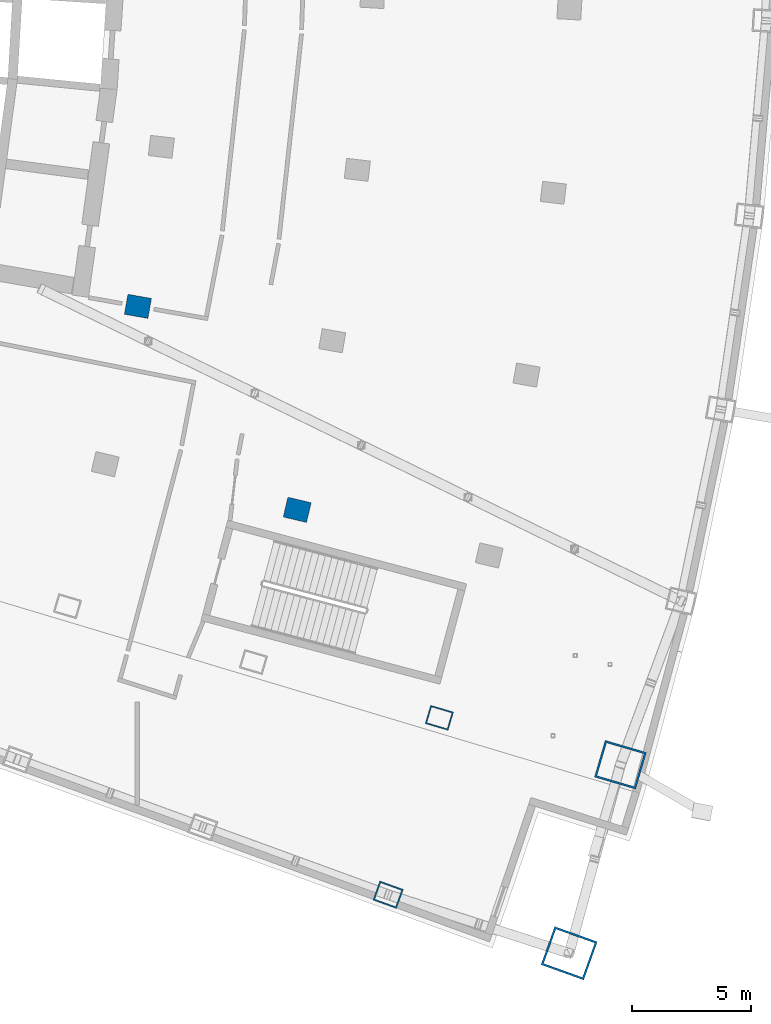
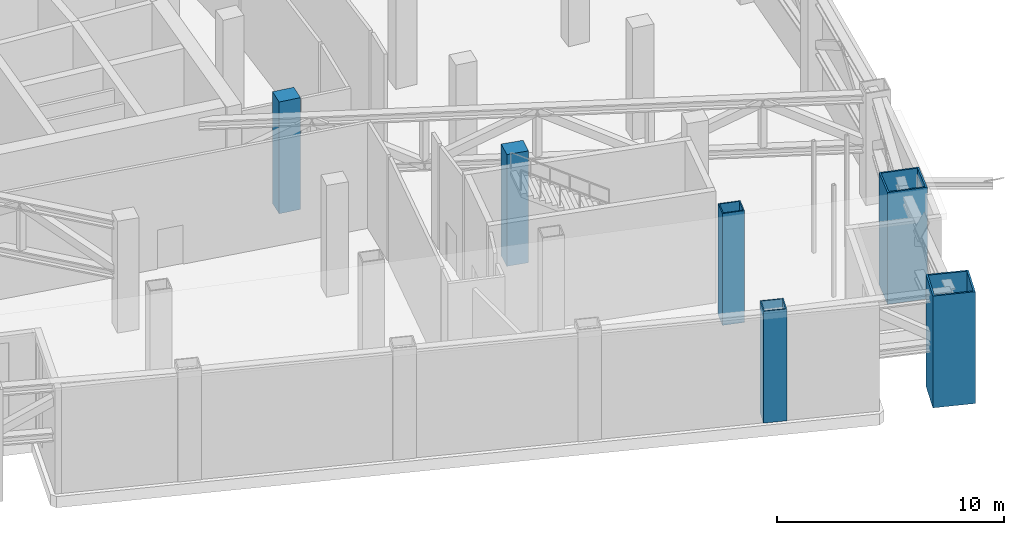
# One storey, part 3 of 26: 6 columns.
"""IFC4 building model written with IfcOpenShell, lengths in metres."""

from ifc_helpers import new_model, si_unit, direction, frame, origin, origin_2d, place, context, subcontext, project, spatial, rectangle, hollow_rectangle, extrude, material, material_profile, profile_set, type_object, element, save


model = new_model("IFC4")

# Units and contexts
model_context = context("Model", 3, precision=1e-05, world=origin(), true_north=direction((0.0, 1.0)))
body_context = subcontext(model_context, "Body", "Model", "MODEL_VIEW")
ifc_project = project(units=[si_unit("LENGTHUNIT", "METRE"), si_unit("AREAUNIT", "SQUARE_METRE"), si_unit("VOLUMEUNIT", "CUBIC_METRE"), si_unit("PLANEANGLEUNIT", "RADIAN"), si_unit("MASSUNIT", "GRAM", prefix="KILO")], contexts=[model_context])

# Site, building, storey
site_placement = place(None, origin())
site = spatial("IfcSite", under=ifc_project, at=site_placement, CompositionType="ELEMENT")
building_placement = place(site_placement, origin())
building = spatial("IfcBuilding", under=site, at=building_placement, Name="Alderwake Tower", CompositionType="ELEMENT")
storey_placement = place(building_placement, frame((0.0, 0.0, 132.800048828125)))
storey = spatial("IfcBuildingStorey", under=building, at=storey_placement, Name="L32", CompositionType="ELEMENT", Elevation=132.800048828125)

# Columns
ifc_material_1 = material(Name="Steel ASTM A572 Grade 50 concrete filled C70/85", Category="concrete")
ifc_material_profile_1 = material_profile(ifc_material_1, hollow_rectangle(XDim=0.85009765625, YDim=1.050048828125, WallThickness=0.06005859375, at=origin_2d()), Name="BOX 1050X850X60")
ifc_profile_set_1 = profile_set([ifc_material_profile_1], Name="Steel ASTM A572 Grade 50 concrete filled C70/85")
column_type_1 = type_object("IfcColumnType", Name="End column Z2", PredefinedType="COLUMN", material=ifc_profile_set_1)
column_1_placement = place(storey_placement, frame((44.514892578125, 16.187255859375, 0.0), z_axis=(0.0, 0.0, 1.0), x_axis=(0.338634462954, 0.940918009446, 0.0)))
element("IfcColumn", 1, at=column_1_placement, inside=storey, type_object=column_type_1, Name="Column R01-C4", PredefinedType="COLUMN", context=body_context, shape_type="SweptSolid", body=[
    extrude(hollow_rectangle(XDim=0.85009765625, YDim=1.050048828125, WallThickness=0.06005859375, at=origin_2d()), origin(), (0.0, 0.0, 1.0), 6.0),
])
ifc_material_2 = material(Name="Steel ASTM A572 Grade 50 concrete filled C70/85", Category="concrete")
ifc_material_profile_2 = material_profile(ifc_material_2, hollow_rectangle(XDim=0.800048828125, YDim=1.0, WallThickness=0.054931640625, at=origin_2d()), Name="BOX 1000X800X55")
ifc_profile_set_2 = profile_set([ifc_material_profile_2], Name="Steel ASTM A572 Grade 50 concrete filled C70/85")
column_type_2 = type_object("IfcColumnType", Name="End column Z3", PredefinedType="COLUMN", material=ifc_profile_set_2)
column_2_placement = place(storey_placement, frame((46.66015625, 23.599365234375, 0.0), z_axis=(0.0, 0.0, 1.0), x_axis=(0.283195247437, 0.959062277346, 0.0)))
element("IfcColumn", 2, at=column_2_placement, inside=storey, type_object=column_type_2, Name="Column R02-C4", PredefinedType="COLUMN", context=body_context, shape_type="SweptSolid", body=[
    extrude(hollow_rectangle(XDim=0.800048828125, YDim=1.0, WallThickness=0.054931640625, at=origin_2d()), origin(), (0.0, 0.0, 1.0), 6.0),
])
ifc_material_3 = material(Name="Concrete C70/85", Category="concrete")
ifc_material_profile_3 = material_profile(ifc_material_3, rectangle(XDim=0.85009765625, YDim=1.0, at=origin_2d()), Name="RC 1000X850")
ifc_profile_set_3 = profile_set([ifc_material_profile_3], Name="Concrete C70/85")
column_type_3 = type_object("IfcColumnType", Name="Interior column Z2", PredefinedType="COLUMN", material=ifc_profile_set_3)
for number, where, z_axis, x_axis, name in (
    (3, (40.70458984375, 32.31298828125, 0.0), (0.0, 0.0, 1.0), (0.231221547198, 0.972901123502, 0.0), "Column R03-C3"),
    (4, (34.03125, 40.83837890625, 0.0), (0.0, 0.0, 1.0), (0.174108800747, 0.984726421654, 0.0), "Column R04-C2"),
):
    element("IfcColumn", number, at=place(storey_placement, frame(where, z_axis=z_axis, x_axis=x_axis)), inside=storey, type_object=column_type_3, Name=name, PredefinedType="COLUMN", context=body_context, shape_type="SweptSolid", body=[
        extrude(rectangle(XDim=0.85009765625, YDim=1.0, at=origin_2d()), origin(), (0.0, 0.0, 1.0), 6.0),
    ])
ifc_material_4 = material(Name="Steel ASTM A572 Grade 50 concrete filled C70/85", Category="concrete")
ifc_material_profile_4 = material_profile(ifc_material_4, hollow_rectangle(XDim=1.699951171875, YDim=1.89990234375, WallThickness=0.0849609375, at=origin_2d()), Name="BOX 1900X1700X85")
ifc_profile_set_4 = profile_set([ifc_material_profile_4], Name="Steel ASTM A572 Grade 50 concrete filled C70/85")
column_type_4 = type_object("IfcColumnType", Name="Mega column Z2", PredefinedType="COLUMN", material=ifc_profile_set_4)
column_3_placement = place(storey_placement, frame((52.09912109375, 13.736083984375, 0.0), z_axis=(0.0, 0.0, 1.0), x_axis=(0.336878350236, 0.941548180999, 0.0)))
element("IfcColumn", 5, at=column_3_placement, inside=storey, type_object=column_type_4, Name="Column R01-C5", PredefinedType="COLUMN", context=body_context, shape_type="SweptSolid", body=[
    extrude(hollow_rectangle(XDim=1.699951171875, YDim=1.89990234375, WallThickness=0.0849609375, at=origin_2d()), origin(), (0.0, 0.0, 1.0), 6.0),
])
ifc_material_5 = material(Name="Steel ASTM A572 Grade 50 concrete filled C70/85", Category="concrete")
ifc_material_profile_5 = material_profile(ifc_material_5, hollow_rectangle(XDim=1.60009765625, YDim=1.800048828125, WallThickness=0.080078125, at=origin_2d()), Name="BOX 1800X1600X80")
ifc_profile_set_5 = profile_set([ifc_material_profile_5], Name="Steel ASTM A572 Grade 50 concrete filled C70/85")
column_type_5 = type_object("IfcColumnType", Name="Mega column Z3", PredefinedType="COLUMN", material=ifc_profile_set_5)
column_4_placement = place(storey_placement, frame((54.246826171875, 21.6328125, 0.0), z_axis=(0.0, 0.0, 1.0), x_axis=(0.281395329631, 0.959591928093, 0.0)))
element("IfcColumn", 6, at=column_4_placement, inside=storey, type_object=column_type_5, Name="Column R02-C5", PredefinedType="COLUMN", context=body_context, shape_type="SweptSolid", body=[
    extrude(hollow_rectangle(XDim=1.60009765625, YDim=1.800048828125, WallThickness=0.080078125, at=origin_2d()), origin(), (0.0, 0.0, 1.0), 6.0),
])

save(model, "model.ifc")
